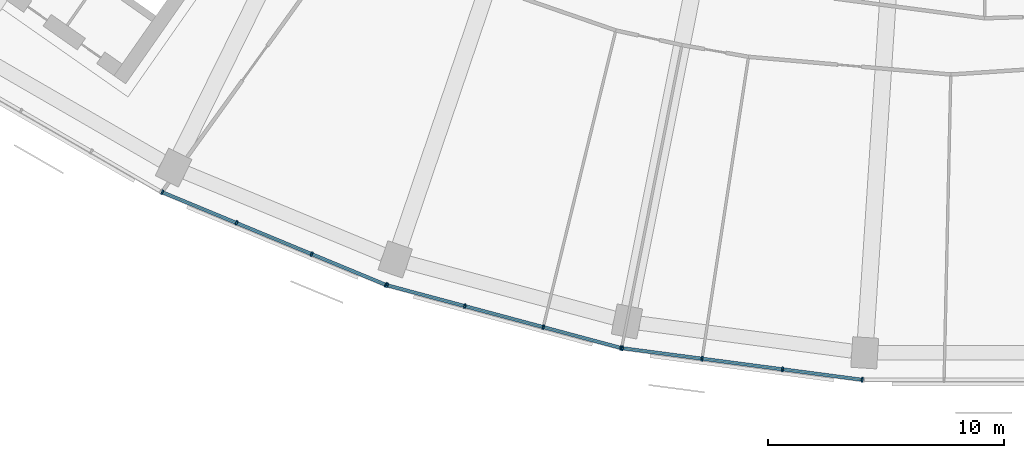
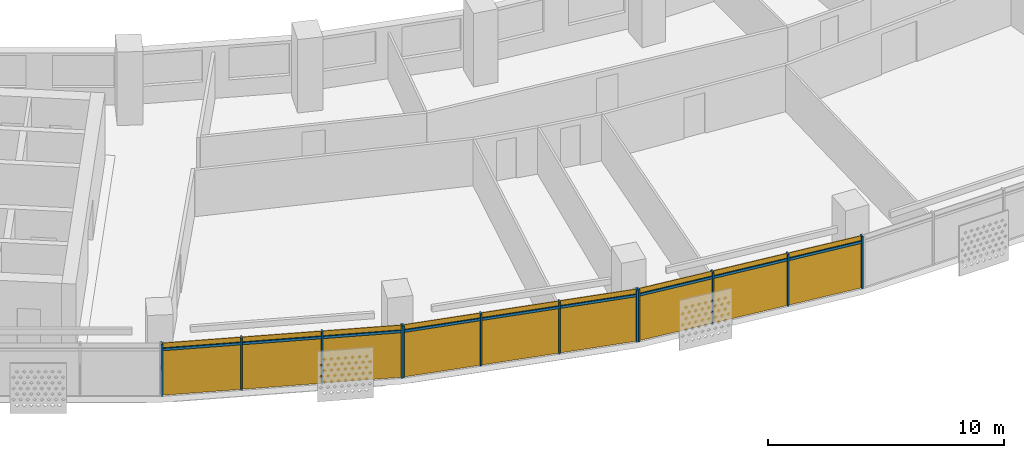
# One storey, part 17 of 27: 21 members, 3 curtain walls.
"""IFC4 building model written with IfcOpenShell, lengths in metres."""

import ifcopenshell
import ifcopenshell.guid

model = None  # the IFC model being written
_history = None  # IfcOwnerHistory: only IFC2X3 demands one
_inside = {}  # id of a spatial element -> (the spatial element, [elements in it])
_under = {}  # id of a project, library or spatial element -> (it, [spatial elements below it])
_declared = {}  # id of a project -> (the project, [libraries it declares])
_typed = {}  # id of a type object -> (the type object, [elements of that type])
_made_of = {}  # id of a material, layer set ... -> (it, [elements and type objects made of it])


def new_model(schema):
    """Start an empty IFC model of exactly this schema.

    Asked for "IFC4X3", IfcOpenShell would pick the latest addendum, in which some entities
    have other attributes; the version numbers below select the first issue.
    IFC2X3 requires an IfcOwnerHistory on every rooted entity: one is made here for all.
    """
    global model, _history
    if schema == "IFC4X3":
        model = ifcopenshell.file(schema_version=(4, 3, 0, 0))
    else:
        model = ifcopenshell.file(schema=schema)
    _inside.clear()
    _under.clear()
    _declared.clear()
    _typed.clear()
    _made_of.clear()
    _history = None
    if model.schema == "IFC2X3":
        org = make("IfcOrganization", Name="unknown")
        user = make(
            "IfcPersonAndOrganization",
            ThePerson=make("IfcPerson", FamilyName="unknown"),
            TheOrganization=org,
        )
        app = make(
            "IfcApplication",
            ApplicationDeveloper=org,
            Version="unknown",
            ApplicationFullName="unknown",
            ApplicationIdentifier="unknown",
        )
        _history = make(
            "IfcOwnerHistory",
            OwningUser=user,
            OwningApplication=app,
            ChangeAction="ADDED",
            CreationDate=0,
        )
    return model


def make(cls, **values):
    """One entity of the class cls with the attributes given. An attribute that is None is left unset."""
    return model.create_entity(
        cls, **{name: value for name, value in values.items() if value is not None}
    )


def rooted(cls, **values):
    """An entity with a GlobalId (a new one), such as an element, a storey or a relation."""
    return make(cls, GlobalId=ifcopenshell.guid.new(), OwnerHistory=_history, **values)


def si_unit(unit_type, name, prefix=None):
    """IfcSIUnit, for example si_unit("LENGTHUNIT", "METRE", prefix="MILLI")."""
    return make("IfcSIUnit", UnitType=unit_type, Prefix=prefix, Name=name)


def assignment(units):
    """IfcUnitAssignment: the units of a project."""
    return None if units is None else make("IfcUnitAssignment", Units=units)


def point(xyz):
    """IfcCartesianPoint."""
    return None if xyz is None else make("IfcCartesianPoint", Coordinates=xyz)


def direction(xyz):
    """IfcDirection."""
    return None if xyz is None else make("IfcDirection", DirectionRatios=xyz)


def frame(location, z_axis=None, x_axis=None):
    """IfcAxis2Placement3D, a coordinate frame: its origin and axes. An axis left out is left unset."""
    return make(
        "IfcAxis2Placement3D",
        Location=point(location),
        Axis=direction(z_axis),
        RefDirection=direction(x_axis),
    )


def frame_2d(location, x_axis=None):
    """IfcAxis2Placement2D, a coordinate frame in the plane: its origin and x axis."""
    return make(
        "IfcAxis2Placement2D", Location=point(location), RefDirection=direction(x_axis)
    )


def origin():
    """The frame at (0, 0, 0) with its axes left unset."""
    return frame((0.0, 0.0, 0.0))


def origin_2d():
    """The frame at (0, 0) in the plane with its x axis left unset."""
    return frame_2d((0.0, 0.0))


def place(relative_to, where):
    """IfcLocalPlacement: puts the frame where relative to a parent placement (None: the world)."""
    return make(
        "IfcLocalPlacement", PlacementRelTo=relative_to, RelativePlacement=where
    )


def context(
    kind, dimensions, precision=None, world=None, true_north=None, identifier=None
):
    """IfcGeometricRepresentationContext, for example the 3D "Model" context."""
    return make(
        "IfcGeometricRepresentationContext",
        ContextIdentifier=identifier,
        ContextType=kind,
        CoordinateSpaceDimension=dimensions,
        Precision=precision,
        WorldCoordinateSystem=world,
        TrueNorth=true_north,
    )


def subcontext(parent, identifier, kind, view, scale=None):
    """IfcGeometricRepresentationSubContext, for example "Body" below "Model"."""
    return make(
        "IfcGeometricRepresentationSubContext",
        ContextIdentifier=identifier,
        ContextType=kind,
        ParentContext=parent,
        TargetScale=scale,
        TargetView=view,
    )


def project(units=None, contexts=None):
    """IfcProject with its units and contexts."""
    return rooted(
        "IfcProject",
        Name="project",
        RepresentationContexts=contexts,
        UnitsInContext=assignment(units),
    )


def spatial(cls, under=None, at=None, **own):
    """A site, building, storey or space (cls), placed at a placement, below another one or the project."""
    s = rooted(cls, ObjectPlacement=at, **own)
    if under is not None:
        _under.setdefault(under.id(), (under, []))[1].append(s)
    return s


def profile(cls, at=None, kind="AREA", **sizes):
    """A parametric profile (cls). Its sizes go by their IFC names, for example OverallWidth=200.0."""
    return make(cls, ProfileType=kind, Position=at, **sizes)


def rectangle(**sizes):
    """IfcRectangleProfileDef."""
    return profile("IfcRectangleProfileDef", **sizes)


def extrude(swept, where, along, depth):
    """IfcExtrudedAreaSolid: the profile swept, set in the frame where, extruded along a direction by depth."""
    return make(
        "IfcExtrudedAreaSolid",
        SweptArea=swept,
        Position=where,
        ExtrudedDirection=direction(along),
        Depth=depth,
    )


def shape(context_of_items, identifier, shape_type, items):
    """IfcShapeRepresentation: the items that make up one representation, for example the "Body"."""
    return make(
        "IfcShapeRepresentation",
        ContextOfItems=context_of_items,
        RepresentationIdentifier=identifier,
        RepresentationType=shape_type,
        Items=items,
    )


def material(Name=None, Category=None):
    """IfcMaterial."""
    return make("IfcMaterial", Name=Name, Category=Category)


def material_profile(
    of_material, cross_section, Name=None, Category=None, Priority=None
):
    """IfcMaterialProfile: a cross section and its material."""
    return make(
        "IfcMaterialProfile",
        Name=Name,
        Material=of_material,
        Profile=cross_section,
        Priority=Priority,
        Category=Category,
    )


def profile_set(profiles, Name=None, composite=None):
    """IfcMaterialProfileSet."""
    return make(
        "IfcMaterialProfileSet",
        Name=Name,
        MaterialProfiles=profiles,
        CompositeProfile=composite,
    )


def made_of(thing, what):
    """Note that an element or type object is made of a material, layer set ...; save() writes the relation."""
    if what is not None:
        _made_of.setdefault(what.id(), (what, []))[1].append(thing)
    return thing


def type_object(cls, material=None, **own):
    """A type object (cls), such as IfcWallType, which elements share."""
    return made_of(rooted(cls, **own), material)


def element(
    cls,
    number,
    at=None,
    inside=None,
    cuts=None,
    type_object=None,
    material=None,
    context=None,
    identifier="Body",
    shape_type=None,
    held_by="IfcProductDefinitionShape",
    body=None,
    shapes=None,
    **own,
):
    """One element of the class cls, such as IfcWall. Its Tag is "e" and its number.

    at: its placement. inside: the storey or other place that contains it. cuts: it is an
    opening in that element (IfcRelVoidsElement). A single representation is given by context,
    identifier, shape_type and body (its items); several are given by shapes. held_by: the class
    of the entity that holds the representations. save() writes the other relations.
    """
    e = rooted(cls, Tag="e%d" % number, ObjectPlacement=at, **own)
    if body is not None:
        shapes = [shape(context, identifier, shape_type, body)]
    if shapes is not None:
        e.Representation = make(held_by, Representations=shapes)
    if inside is not None:
        _inside.setdefault(inside.id(), (inside, []))[1].append(e)
    if cuts is not None:
        rooted(
            "IfcRelVoidsElement", RelatingBuildingElement=cuts, RelatedOpeningElement=e
        )
    if type_object is not None:
        _typed.setdefault(type_object.id(), (type_object, []))[1].append(e)
    return made_of(e, material)


def aggregate(whole, parts):
    """IfcRelAggregates: a whole, such as a stair, and the parts it consists of."""
    return rooted("IfcRelAggregates", RelatingObject=whole, RelatedObjects=parts)


def save(model, path):
    """Write the relations noted so far, then the file.

    IfcRelAggregates (storeys below a building ...), IfcRelContainedInSpatialStructure (elements
    in a storey), IfcRelDefinesByType, IfcRelAssociatesMaterial and IfcRelDeclares: one each for
    every whole, place, type object, material and project.
    """
    for whole, parts in _under.values():
        aggregate(whole, parts)
    for where, things in _inside.values():
        rooted(
            "IfcRelContainedInSpatialStructure",
            RelatedElements=things,
            RelatingStructure=where,
        )
    for kind, things in _typed.values():
        rooted("IfcRelDefinesByType", RelatedObjects=things, RelatingType=kind)
    for what, things in _made_of.values():
        rooted("IfcRelAssociatesMaterial", RelatedObjects=things, RelatingMaterial=what)
    for by, libraries in _declared.values():
        rooted("IfcRelDeclares", RelatingContext=by, RelatedDefinitions=libraries)
    model.write(path)


model = new_model("IFC4")

# Units and contexts
model_context = context("Model", 3, precision=1e-05, world=origin(), true_north=direction((0.0, 1.0)))
body_context = subcontext(model_context, "Body", "Model", "MODEL_VIEW")
ifc_project = project(units=[si_unit("LENGTHUNIT", "METRE"), si_unit("AREAUNIT", "SQUARE_METRE"), si_unit("VOLUMEUNIT", "CUBIC_METRE"), si_unit("PLANEANGLEUNIT", "RADIAN"), si_unit("MASSUNIT", "GRAM", prefix="KILO")], contexts=[model_context])

# Member
ifc_material = material(Name="Aluminium 6063-T6 anodised", Category="aluminium")
ifc_material_profile_1 = material_profile(ifc_material, rectangle(XDim=0.199951171875, YDim=0.070068359375, at=origin_2d()))
ifc_profile_set_1 = profile_set([ifc_material_profile_1], Name="Aluminium 6063-T6 anodised")
member_type_1 = type_object("IfcMemberType", Name="Mullion 70 x 200 aluminium", PredefinedType="MULLION", material=ifc_profile_set_1)
site_placement = place(None, origin())
building_placement = place(site_placement, origin())
storey_placement = place(building_placement, frame((0.0, 0.0, 153.10009765625)))
member_1_placement = place(storey_placement, frame((-34.8701171875, -70.77392578125, 0.0), z_axis=(0.0, 0.0, 1.0), x_axis=(0.382683432365, 0.923879532511, 0.0)))
member_1 = element("IfcMember", 1, at=member_1_placement, type_object=member_type_1, Name="e-cw1-L35-out04/M00", PredefinedType="MULLION", context=body_context, shape_type="SweptSolid", body=[
    extrude(rectangle(XDim=0.199951171875, YDim=0.070068359375, at=origin_2d()), origin(), (0.0, 0.0, 1.0), 2.699951171875),
])

member_2_placement = place(storey_placement, frame((-31.72021484375, -72.078857421875, 0.0), z_axis=(0.0, 0.0, 1.0), x_axis=(0.382683432365, 0.923879532511, 0.0)))
member_2 = element("IfcMember", 2, at=member_2_placement, type_object=member_type_1, Name="e-cw1-L35-out04/M01", PredefinedType="MULLION", context=body_context, shape_type="SweptSolid", body=[
    extrude(rectangle(XDim=0.199951171875, YDim=0.070068359375, at=origin_2d()), origin(), (0.0, 0.0, 1.0), 2.699951171875),
])

member_3_placement = place(storey_placement, frame((-28.537841796875, -73.39697265625, 0.0), z_axis=(0.0, 0.0, 1.0), x_axis=(0.382683432365, 0.923879532511, 0.0)))
member_3 = element("IfcMember", 3, at=member_3_placement, type_object=member_type_1, Name="e-cw1-L35-out04/M02", PredefinedType="MULLION", context=body_context, shape_type="SweptSolid", body=[
    extrude(rectangle(XDim=0.199951171875, YDim=0.070068359375, at=origin_2d()), origin(), (0.0, 0.0, 1.0), 2.699951171875),
])

member_4_placement = place(storey_placement, frame((-25.3876953125, -74.70166015625, 0.0), z_axis=(0.0, 0.0, 1.0), x_axis=(0.382683432365, 0.923879532511, 0.0)))
member_4 = element("IfcMember", 4, at=member_4_placement, type_object=member_type_1, Name="e-cw1-L35-out04/M03", PredefinedType="MULLION", context=body_context, shape_type="SweptSolid", body=[
    extrude(rectangle(XDim=0.199951171875, YDim=0.070068359375, at=origin_2d()), origin(), (0.0, 0.0, 1.0), 2.699951171875),
])

member_5_placement = place(storey_placement, frame((-25.333984375, -74.719970703125, 0.0), z_axis=(0.0, 0.0, 1.0), x_axis=(0.258819045103, 0.965925826289, 0.0)))
member_5 = element("IfcMember", 5, at=member_5_placement, type_object=member_type_1, Name="e-cw1-L35-out05/M00", PredefinedType="MULLION", context=body_context, shape_type="SweptSolid", body=[
    extrude(rectangle(XDim=0.199951171875, YDim=0.070068359375, at=origin_2d()), origin(), (0.0, 0.0, 1.0), 2.699951171875),
])

member_6_placement = place(storey_placement, frame((-22.04052734375, -75.602294921875, 0.0), z_axis=(0.0, 0.0, 1.0), x_axis=(0.258819045103, 0.965925826289, 0.0)))
member_6 = element("IfcMember", 6, at=member_6_placement, type_object=member_type_1, Name="e-cw1-L35-out05/M01", PredefinedType="MULLION", context=body_context, shape_type="SweptSolid", body=[
    extrude(rectangle(XDim=0.199951171875, YDim=0.070068359375, at=origin_2d()), origin(), (0.0, 0.0, 1.0), 2.699951171875),
])

member_7_placement = place(storey_placement, frame((-18.71337890625, -76.493896484375, 0.0), z_axis=(0.0, 0.0, 1.0), x_axis=(0.258819045103, 0.965925826289, 0.0)))
member_7 = element("IfcMember", 7, at=member_7_placement, type_object=member_type_1, Name="e-cw1-L35-out05/M02", PredefinedType="MULLION", context=body_context, shape_type="SweptSolid", body=[
    extrude(rectangle(XDim=0.199951171875, YDim=0.070068359375, at=origin_2d()), origin(), (0.0, 0.0, 1.0), 2.699951171875),
])

member_8_placement = place(storey_placement, frame((-15.420166015625, -77.37646484375, 0.0), z_axis=(0.0, 0.0, 1.0), x_axis=(0.258819045103, 0.965925826289, 0.0)))
member_8 = element("IfcMember", 8, at=member_8_placement, type_object=member_type_1, Name="e-cw1-L35-out05/M03", PredefinedType="MULLION", context=body_context, shape_type="SweptSolid", body=[
    extrude(rectangle(XDim=0.199951171875, YDim=0.070068359375, at=origin_2d()), origin(), (0.0, 0.0, 1.0), 2.699951171875),
])

member_9_placement = place(storey_placement, frame((-15.364501953125, -77.387451171875, 0.0), z_axis=(0.0, 0.0, 1.0), x_axis=(0.13052619222, 0.991444861374, 0.0)))
member_9 = element("IfcMember", 9, at=member_9_placement, type_object=member_type_1, Name="e-cw1-L35-out06/M00", PredefinedType="MULLION", context=body_context, shape_type="SweptSolid", body=[
    extrude(rectangle(XDim=0.199951171875, YDim=0.070068359375, at=origin_2d()), origin(), (0.0, 0.0, 1.0), 2.699951171875),
])

member_10_placement = place(storey_placement, frame((-11.98388671875, -77.83251953125, 0.0), z_axis=(0.0, 0.0, 1.0), x_axis=(0.13052619222, 0.991444861374, 0.0)))
member_10 = element("IfcMember", 10, at=member_10_placement, type_object=member_type_1, Name="e-cw1-L35-out06/M01", PredefinedType="MULLION", context=body_context, shape_type="SweptSolid", body=[
    extrude(rectangle(XDim=0.199951171875, YDim=0.070068359375, at=origin_2d()), origin(), (0.0, 0.0, 1.0), 2.699951171875),
])

member_11_placement = place(storey_placement, frame((-8.56884765625, -78.2822265625, 0.0), z_axis=(0.0, 0.0, 1.0), x_axis=(0.13052619222, 0.991444861374, 0.0)))
member_11 = element("IfcMember", 11, at=member_11_placement, type_object=member_type_1, Name="e-cw1-L35-out06/M02", PredefinedType="MULLION", context=body_context, shape_type="SweptSolid", body=[
    extrude(rectangle(XDim=0.199951171875, YDim=0.070068359375, at=origin_2d()), origin(), (0.0, 0.0, 1.0), 2.699951171875),
])

member_12_placement = place(storey_placement, frame((-5.1884765625, -78.72705078125, 0.0), z_axis=(0.0, 0.0, 1.0), x_axis=(0.13052619222, 0.991444861374, 0.0)))
member_12 = element("IfcMember", 12, at=member_12_placement, type_object=member_type_1, Name="e-cw1-L35-out06/M03", PredefinedType="MULLION", context=body_context, shape_type="SweptSolid", body=[
    extrude(rectangle(XDim=0.199951171875, YDim=0.070068359375, at=origin_2d()), origin(), (0.0, 0.0, 1.0), 2.699951171875),
])

ifc_material_profile_2 = material_profile(ifc_material, rectangle(XDim=0.139892578125, YDim=0.1201171875, at=origin_2d()))
ifc_profile_set_2 = profile_set([ifc_material_profile_2], Name="Aluminium 6063-T6 anodised")
member_type_2 = type_object("IfcMemberType", Name="Transom 120 x 140 aluminium", PredefinedType="USERDEFINED", material=ifc_profile_set_2)
member_13_placement = place(storey_placement, frame((-34.837890625, -70.787353515625, 2.39990234375), z_axis=(0.923875164544, -0.382693977401, 0.0), x_axis=(0.382693977401, 0.923875164544, 0.0)))
member_13 = element("IfcMember", 13, at=member_13_placement, type_object=member_type_2, Name="e-cw1-L35-out04/T00", ObjectType="TRANSOM", PredefinedType="USERDEFINED", context=body_context, shape_type="SweptSolid", body=[
    extrude(rectangle(XDim=0.139892578125, YDim=0.1201171875, at=origin_2d()), origin(), (0.0, 0.0, 1.0), 3.339599609375),
])

member_14_placement = place(storey_placement, frame((-31.687744140625, -72.092041015625, 2.39990234375), z_axis=(0.923866926753, -0.382713863941, 0.0), x_axis=(0.382713863941, 0.923866926753, 0.0)))
member_14 = element("IfcMember", 14, at=member_14_placement, type_object=member_type_2, Name="e-cw1-L35-out04/T01", ObjectType="TRANSOM", PredefinedType="USERDEFINED", context=body_context, shape_type="SweptSolid", body=[
    extrude(rectangle(XDim=0.139892578125, YDim=0.1201171875, at=origin_2d()), origin(), (0.0, 0.0, 1.0), 3.37451171875),
])

member_15_placement = place(storey_placement, frame((-28.50537109375, -73.410400390625, 2.39990234375), z_axis=(0.923890305385, -0.382657423311, 0.0), x_axis=(0.382657423311, 0.923890305385, 0.0)))
member_15 = element("IfcMember", 15, at=member_15_placement, type_object=member_type_2, Name="e-cw1-L35-out04/T02", ObjectType="TRANSOM", PredefinedType="USERDEFINED", context=body_context, shape_type="SweptSolid", body=[
    extrude(rectangle(XDim=0.139892578125, YDim=0.1201171875, at=origin_2d()), origin(), (0.0, 0.0, 1.0), 3.33935546875),
])

member_16_placement = place(storey_placement, frame((-25.30029296875, -74.72900390625, 2.39990234375), z_axis=(0.965933368091, -0.258790897074, 0.0), x_axis=(0.258790897074, 0.965933368091, 0.0)))
member_16 = element("IfcMember", 16, at=member_16_placement, type_object=member_type_2, Name="e-cw1-L35-out05/T00", ObjectType="TRANSOM", PredefinedType="USERDEFINED", context=body_context, shape_type="SweptSolid", body=[
    extrude(rectangle(XDim=0.139892578125, YDim=0.1201171875, at=origin_2d()), origin(), (0.0, 0.0, 1.0), 3.339599609375),
])

member_17_placement = place(storey_placement, frame((-22.0068359375, -75.611572265625, 2.39990234375), z_axis=(0.965932873966, -0.258792741381, 0.0), x_axis=(0.258792741381, 0.965932873966, 0.0)))
member_17 = element("IfcMember", 17, at=member_17_placement, type_object=member_type_2, Name="e-cw1-L35-out05/T01", ObjectType="TRANSOM", PredefinedType="USERDEFINED", context=body_context, shape_type="SweptSolid", body=[
    extrude(rectangle(XDim=0.139892578125, YDim=0.1201171875, at=origin_2d()), origin(), (0.0, 0.0, 1.0), 3.37451171875),
])

member_18_placement = place(storey_placement, frame((-18.6796875, -76.5029296875, 2.39990234375), z_axis=(0.96591509168, -0.258859103886, 0.0), x_axis=(0.258859103886, 0.96591509168, 0.0)))
member_18 = element("IfcMember", 18, at=member_18_placement, type_object=member_type_2, Name="e-cw1-L35-out05/T02", ObjectType="TRANSOM", PredefinedType="USERDEFINED", context=body_context, shape_type="SweptSolid", body=[
    extrude(rectangle(XDim=0.139892578125, YDim=0.1201171875, at=origin_2d()), origin(), (0.0, 0.0, 1.0), 3.339599609375),
])

member_19_placement = place(storey_placement, frame((-15.32958984375, -77.39208984375, 2.39990234375), z_axis=(0.991448073325, -0.130501792706, 0.0), x_axis=(0.130501792706, 0.991448073325, 0.0)))
member_19 = element("IfcMember", 19, at=member_19_placement, type_object=member_type_2, Name="e-cw1-L35-out06/T00", ObjectType="TRANSOM", PredefinedType="USERDEFINED", context=body_context, shape_type="SweptSolid", body=[
    extrude(rectangle(XDim=0.139892578125, YDim=0.1201171875, at=origin_2d()), origin(), (0.0, 0.0, 1.0), 3.33935546875),
])

member_20_placement = place(storey_placement, frame((-11.94921875, -77.837158203125, 2.39990234375), z_axis=(0.991446413845, -0.130514399487, 0.0), x_axis=(0.130514399487, 0.991446413845, 0.0)))
member_20 = element("IfcMember", 20, at=member_20_placement, type_object=member_type_2, Name="e-cw1-L35-out06/T01", ObjectType="TRANSOM", PredefinedType="USERDEFINED", context=body_context, shape_type="SweptSolid", body=[
    extrude(rectangle(XDim=0.139892578125, YDim=0.1201171875, at=origin_2d()), origin(), (0.0, 0.0, 1.0), 3.37451171875),
])

member_21_placement = place(storey_placement, frame((-8.5341796875, -78.28662109375, 2.39990234375), z_axis=(0.991439857731, -0.130564193033, 0.0), x_axis=(0.130564193033, 0.991439857731, 0.0)))
member_21 = element("IfcMember", 21, at=member_21_placement, type_object=member_type_2, Name="e-cw1-L35-out06/T02", ObjectType="TRANSOM", PredefinedType="USERDEFINED", context=body_context, shape_type="SweptSolid", body=[
    extrude(rectangle(XDim=0.139892578125, YDim=0.1201171875, at=origin_2d()), origin(), (0.0, 0.0, 1.0), 3.339599609375),
])

# Site, building, storey
site = spatial("IfcSite", under=ifc_project, at=site_placement, CompositionType="ELEMENT")
building = spatial("IfcBuilding", under=site, at=building_placement, Name="Qamariyya Broadcast Tower", CompositionType="ELEMENT")
storey = spatial("IfcBuildingStorey", under=building, at=storey_placement, Name="L35", CompositionType="ELEMENT", Elevation=153.10009765625)

# Curtain wall
curtain_wall_type = type_object("IfcCurtainWallType", Name="Unitised curtain wall, anodised aluminium", PredefinedType="NOTDEFINED", material=ifc_material)
curtain_wall_1_placement = place(storey_placement, origin())
curtain_wall_1 = element("IfcCurtainWall", 22, at=curtain_wall_1_placement, inside=storey, type_object=curtain_wall_type, Name="e-cw1-L35-out04", PredefinedType="NOTDEFINED", context=body_context, shape_type="SweptSolid", body=[
    extrude(rectangle(XDim=3.339599609375, YDim=0.031982421875, at=origin_2d()), frame((-33.295166015625, -71.42626953125, 0.0), x_axis=(0.923878040314, -0.382687034829, 0.0)), (0.0, 0.0, 1.0), 2.340087890625),
    extrude(rectangle(XDim=3.339599609375, YDim=0.031982421875, at=origin_2d()), frame((-33.295166015625, -71.42626953125, 2.4599609375), x_axis=(0.923878040314, -0.382687034829, 0.0)), (0.0, 0.0, 1.0), 0.239990234375),
    extrude(rectangle(XDim=3.37451171875, YDim=0.031982421875, at=origin_2d()), frame((-30.12890625, -72.73779296875, 0.0), x_axis=(0.923878040314, -0.382687034829, 0.0)), (0.0, 0.0, 1.0), 2.340087890625),
    extrude(rectangle(XDim=3.37451171875, YDim=0.031982421875, at=origin_2d()), frame((-30.12890625, -72.73779296875, 2.4599609375), x_axis=(0.923878040314, -0.382687034829, 0.0)), (0.0, 0.0, 1.0), 0.239990234375),
    extrude(rectangle(XDim=3.339599609375, YDim=0.031982421875, at=origin_2d()), frame((-26.962890625, -74.04931640625, 0.0), x_axis=(0.923878040314, -0.382687034829, 0.0)), (0.0, 0.0, 1.0), 2.340087890625),
    extrude(rectangle(XDim=3.339599609375, YDim=0.031982421875, at=origin_2d()), frame((-26.962890625, -74.04931640625, 2.4599609375), x_axis=(0.923878040314, -0.382687034829, 0.0)), (0.0, 0.0, 1.0), 0.239990234375),
])

aggregate(curtain_wall_1, [member_1, member_2, member_3, member_4, member_13, member_14, member_15])

curtain_wall_2_placement = place(storey_placement, origin())
curtain_wall_2 = element("IfcCurtainWall", 23, at=curtain_wall_2_placement, inside=storey, type_object=curtain_wall_type, Name="e-cw1-L35-out05", PredefinedType="NOTDEFINED", context=body_context, shape_type="SweptSolid", body=[
    extrude(rectangle(XDim=3.339599609375, YDim=0.031982421875, at=origin_2d()), frame((-23.6875, -75.1611328125, 0.0), x_axis=(0.965926433062, -0.258816780584, 0.0)), (0.0, 0.0, 1.0), 2.340087890625),
    extrude(rectangle(XDim=3.339599609375, YDim=0.031982421875, at=origin_2d()), frame((-23.6875, -75.1611328125, 2.4599609375), x_axis=(0.965926433062, -0.258816780584, 0.0)), (0.0, 0.0, 1.0), 0.239990234375),
    extrude(rectangle(XDim=3.37451171875, YDim=0.031982421875, at=origin_2d()), frame((-20.376953125, -76.04833984375, 0.0), x_axis=(0.965926433062, -0.258816780584, 0.0)), (0.0, 0.0, 1.0), 2.340087890625),
    extrude(rectangle(XDim=3.37451171875, YDim=0.031982421875, at=origin_2d()), frame((-20.376953125, -76.04833984375, 2.4599609375), x_axis=(0.965926433062, -0.258816780584, 0.0)), (0.0, 0.0, 1.0), 0.239990234375),
    extrude(rectangle(XDim=3.339599609375, YDim=0.031982421875, at=origin_2d()), frame((-17.066650390625, -76.935302734375, 0.0), x_axis=(0.965926433062, -0.258816780584, 0.0)), (0.0, 0.0, 1.0), 2.340087890625),
    extrude(rectangle(XDim=3.339599609375, YDim=0.031982421875, at=origin_2d()), frame((-17.066650390625, -76.935302734375, 2.4599609375), x_axis=(0.965926433062, -0.258816780584, 0.0)), (0.0, 0.0, 1.0), 0.239990234375),
])

aggregate(curtain_wall_2, [member_5, member_6, member_7, member_8, member_16, member_17, member_18])

curtain_wall_3_placement = place(storey_placement, origin())
curtain_wall_3 = element("IfcCurtainWall", 24, at=curtain_wall_3_placement, inside=storey, type_object=curtain_wall_type, Name="e-cw1-L35-out06", PredefinedType="NOTDEFINED", context=body_context, shape_type="SweptSolid", body=[
    extrude(rectangle(XDim=3.339599609375, YDim=0.031982421875, at=origin_2d()), frame((-13.67431640625, -77.60986328125, 0.0), x_axis=(0.991444240905, -0.130530905064, 0.0)), (0.0, 0.0, 1.0), 2.340087890625),
    extrude(rectangle(XDim=3.339599609375, YDim=0.031982421875, at=origin_2d()), frame((-13.67431640625, -77.60986328125, 2.4599609375), x_axis=(0.991444240905, -0.130530905064, 0.0)), (0.0, 0.0, 1.0), 0.239990234375),
    extrude(rectangle(XDim=3.37451171875, YDim=0.031982421875, at=origin_2d()), frame((-10.2763671875, -78.05712890625, 0.0), x_axis=(0.991444240905, -0.130530905064, 0.0)), (0.0, 0.0, 1.0), 2.340087890625),
    extrude(rectangle(XDim=3.37451171875, YDim=0.031982421875, at=origin_2d()), frame((-10.2763671875, -78.05712890625, 2.4599609375), x_axis=(0.991444240905, -0.130530905064, 0.0)), (0.0, 0.0, 1.0), 0.239990234375),
    extrude(rectangle(XDim=3.339599609375, YDim=0.031982421875, at=origin_2d()), frame((-6.878662109375, -78.504638671875, 0.0), x_axis=(0.991444240905, -0.130530905064, 0.0)), (0.0, 0.0, 1.0), 2.340087890625),
    extrude(rectangle(XDim=3.339599609375, YDim=0.031982421875, at=origin_2d()), frame((-6.878662109375, -78.504638671875, 2.4599609375), x_axis=(0.991444240905, -0.130530905064, 0.0)), (0.0, 0.0, 1.0), 0.239990234375),
])

aggregate(curtain_wall_3, [member_9, member_10, member_11, member_12, member_19, member_20, member_21])

save(model, "model.ifc")
